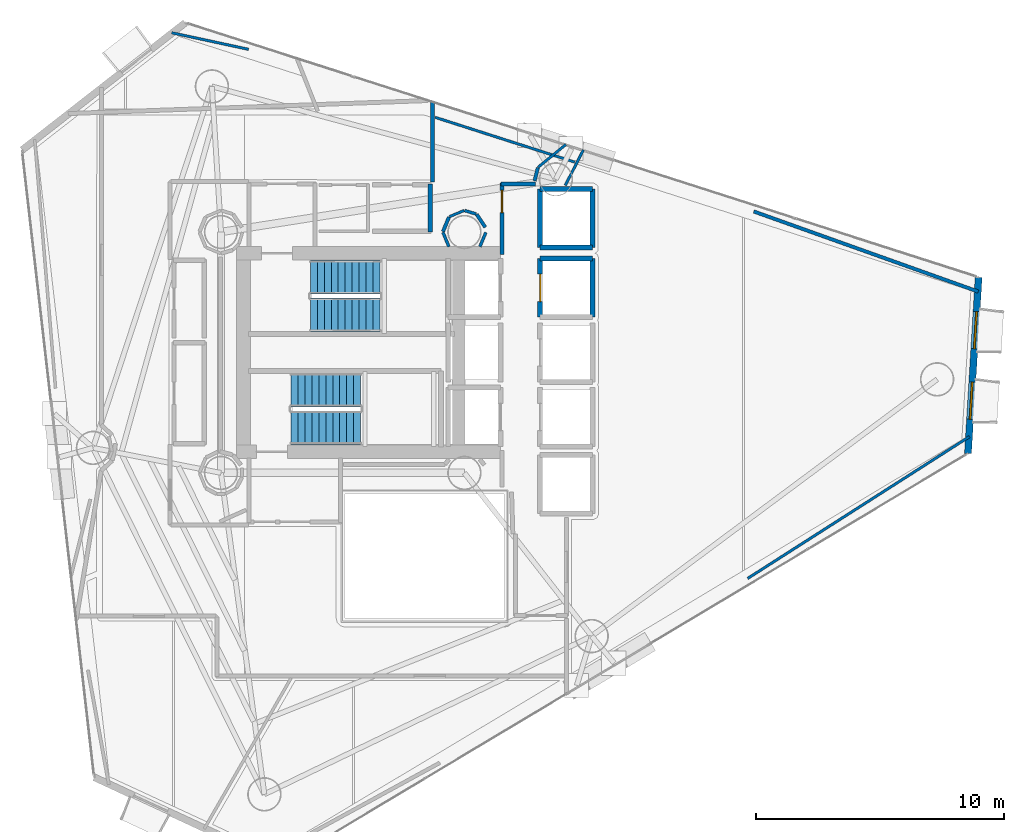
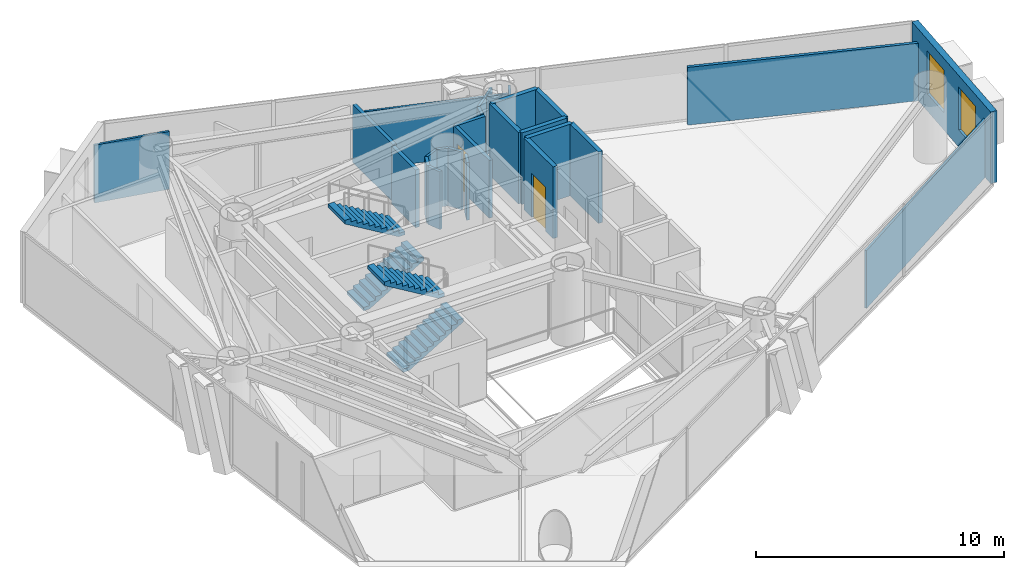
# One storey, part 20 of 22: 25 walls, 4 stair flights, 2 doors, 2 windows, 4 openings, 2 elements without a shape of their own.
"""IFC4 building model written with IfcOpenShell, lengths in metres."""

import ifcopenshell
import ifcopenshell.guid

model = None  # the IFC model being written
_history = None  # IfcOwnerHistory: only IFC2X3 demands one
_inside = {}  # id of a spatial element -> (the spatial element, [elements in it])
_under = {}  # id of a project, library or spatial element -> (it, [spatial elements below it])
_declared = {}  # id of a project -> (the project, [libraries it declares])
_typed = {}  # id of a type object -> (the type object, [elements of that type])
_made_of = {}  # id of a material, layer set ... -> (it, [elements and type objects made of it])


def new_model(schema):
    """Start an empty IFC model of exactly this schema.

    Asked for "IFC4X3", IfcOpenShell would pick the latest addendum, in which some entities
    have other attributes; the version numbers below select the first issue.
    IFC2X3 requires an IfcOwnerHistory on every rooted entity: one is made here for all.
    """
    global model, _history
    if schema == "IFC4X3":
        model = ifcopenshell.file(schema_version=(4, 3, 0, 0))
    else:
        model = ifcopenshell.file(schema=schema)
    _inside.clear()
    _under.clear()
    _declared.clear()
    _typed.clear()
    _made_of.clear()
    _history = None
    if model.schema == "IFC2X3":
        org = make("IfcOrganization", Name="unknown")
        user = make(
            "IfcPersonAndOrganization",
            ThePerson=make("IfcPerson", FamilyName="unknown"),
            TheOrganization=org,
        )
        app = make(
            "IfcApplication",
            ApplicationDeveloper=org,
            Version="unknown",
            ApplicationFullName="unknown",
            ApplicationIdentifier="unknown",
        )
        _history = make(
            "IfcOwnerHistory",
            OwningUser=user,
            OwningApplication=app,
            ChangeAction="ADDED",
            CreationDate=0,
        )
    return model


def make(cls, **values):
    """One entity of the class cls with the attributes given. An attribute that is None is left unset."""
    return model.create_entity(
        cls, **{name: value for name, value in values.items() if value is not None}
    )


def rooted(cls, **values):
    """An entity with a GlobalId (a new one), such as an element, a storey or a relation."""
    return make(cls, GlobalId=ifcopenshell.guid.new(), OwnerHistory=_history, **values)


def si_unit(unit_type, name, prefix=None):
    """IfcSIUnit, for example si_unit("LENGTHUNIT", "METRE", prefix="MILLI")."""
    return make("IfcSIUnit", UnitType=unit_type, Prefix=prefix, Name=name)


def assignment(units):
    """IfcUnitAssignment: the units of a project."""
    return None if units is None else make("IfcUnitAssignment", Units=units)


def point(xyz):
    """IfcCartesianPoint."""
    return None if xyz is None else make("IfcCartesianPoint", Coordinates=xyz)


def direction(xyz):
    """IfcDirection."""
    return None if xyz is None else make("IfcDirection", DirectionRatios=xyz)


def frame(location, z_axis=None, x_axis=None):
    """IfcAxis2Placement3D, a coordinate frame: its origin and axes. An axis left out is left unset."""
    return make(
        "IfcAxis2Placement3D",
        Location=point(location),
        Axis=direction(z_axis),
        RefDirection=direction(x_axis),
    )


def frame_2d(location, x_axis=None):
    """IfcAxis2Placement2D, a coordinate frame in the plane: its origin and x axis."""
    return make(
        "IfcAxis2Placement2D", Location=point(location), RefDirection=direction(x_axis)
    )


def origin():
    """The frame at (0, 0, 0) with its axes left unset."""
    return frame((0.0, 0.0, 0.0))


def place(relative_to, where):
    """IfcLocalPlacement: puts the frame where relative to a parent placement (None: the world)."""
    return make(
        "IfcLocalPlacement", PlacementRelTo=relative_to, RelativePlacement=where
    )


def context(
    kind, dimensions, precision=None, world=None, true_north=None, identifier=None
):
    """IfcGeometricRepresentationContext, for example the 3D "Model" context."""
    return make(
        "IfcGeometricRepresentationContext",
        ContextIdentifier=identifier,
        ContextType=kind,
        CoordinateSpaceDimension=dimensions,
        Precision=precision,
        WorldCoordinateSystem=world,
        TrueNorth=true_north,
    )


def subcontext(parent, identifier, kind, view, scale=None):
    """IfcGeometricRepresentationSubContext, for example "Body" below "Model"."""
    return make(
        "IfcGeometricRepresentationSubContext",
        ContextIdentifier=identifier,
        ContextType=kind,
        ParentContext=parent,
        TargetScale=scale,
        TargetView=view,
    )


def project(units=None, contexts=None):
    """IfcProject with its units and contexts."""
    return rooted(
        "IfcProject",
        Name="project",
        RepresentationContexts=contexts,
        UnitsInContext=assignment(units),
    )


def spatial(cls, under=None, at=None, **own):
    """A site, building, storey or space (cls), placed at a placement, below another one or the project."""
    s = rooted(cls, ObjectPlacement=at, **own)
    if under is not None:
        _under.setdefault(under.id(), (under, []))[1].append(s)
    return s


def polyline(points):
    """IfcPolyline through the points."""
    return make("IfcPolyline", Points=[point(p) for p in points])


def profile(cls, at=None, kind="AREA", **sizes):
    """A parametric profile (cls). Its sizes go by their IFC names, for example OverallWidth=200.0."""
    return make(cls, ProfileType=kind, Position=at, **sizes)


def rectangle(**sizes):
    """IfcRectangleProfileDef."""
    return profile("IfcRectangleProfileDef", **sizes)


def outline(outer, holes=None, kind="AREA"):
    """IfcArbitraryClosedProfileDef: a profile drawn as a closed curve; with holes, ...WithVoids."""
    if holes is None:
        return make("IfcArbitraryClosedProfileDef", ProfileType=kind, OuterCurve=outer)
    return make(
        "IfcArbitraryProfileDefWithVoids",
        ProfileType=kind,
        OuterCurve=outer,
        InnerCurves=holes,
    )


def extrude(swept, where, along, depth):
    """IfcExtrudedAreaSolid: the profile swept, set in the frame where, extruded along a direction by depth."""
    return make(
        "IfcExtrudedAreaSolid",
        SweptArea=swept,
        Position=where,
        ExtrudedDirection=direction(along),
        Depth=depth,
    )


def shape(context_of_items, identifier, shape_type, items):
    """IfcShapeRepresentation: the items that make up one representation, for example the "Body"."""
    return make(
        "IfcShapeRepresentation",
        ContextOfItems=context_of_items,
        RepresentationIdentifier=identifier,
        RepresentationType=shape_type,
        Items=items,
    )


def material(Name=None, Category=None):
    """IfcMaterial."""
    return make("IfcMaterial", Name=Name, Category=Category)


def layer(
    of_material, thickness, ventilated=None, Name=None, Category=None, Priority=None
):
    """IfcMaterialLayer: one layer of a wall or slab, of a material (None: an air gap)."""
    return make(
        "IfcMaterialLayer",
        Material=of_material,
        LayerThickness=thickness,
        IsVentilated=ventilated,
        Name=Name,
        Category=Category,
        Priority=Priority,
    )


def layer_set(layers, Name=None):
    """IfcMaterialLayerSet."""
    return make("IfcMaterialLayerSet", MaterialLayers=layers, LayerSetName=Name)


def made_of(thing, what):
    """Note that an element or type object is made of a material, layer set ...; save() writes the relation."""
    if what is not None:
        _made_of.setdefault(what.id(), (what, []))[1].append(thing)
    return thing


def type_object(cls, material=None, **own):
    """A type object (cls), such as IfcWallType, which elements share."""
    return made_of(rooted(cls, **own), material)


def element(
    cls,
    number,
    at=None,
    inside=None,
    cuts=None,
    type_object=None,
    material=None,
    context=None,
    identifier="Body",
    shape_type=None,
    held_by="IfcProductDefinitionShape",
    body=None,
    shapes=None,
    **own,
):
    """One element of the class cls, such as IfcWall. Its Tag is "e" and its number.

    at: its placement. inside: the storey or other place that contains it. cuts: it is an
    opening in that element (IfcRelVoidsElement). A single representation is given by context,
    identifier, shape_type and body (its items); several are given by shapes. held_by: the class
    of the entity that holds the representations. save() writes the other relations.
    """
    e = rooted(cls, Tag="e%d" % number, ObjectPlacement=at, **own)
    if body is not None:
        shapes = [shape(context, identifier, shape_type, body)]
    if shapes is not None:
        e.Representation = make(held_by, Representations=shapes)
    if inside is not None:
        _inside.setdefault(inside.id(), (inside, []))[1].append(e)
    if cuts is not None:
        rooted(
            "IfcRelVoidsElement", RelatingBuildingElement=cuts, RelatedOpeningElement=e
        )
    if type_object is not None:
        _typed.setdefault(type_object.id(), (type_object, []))[1].append(e)
    return made_of(e, material)


def fill(opening, filler):
    """IfcRelFillsElement: the door or window that sits in an opening."""
    return rooted(
        "IfcRelFillsElement",
        RelatingOpeningElement=opening,
        RelatedBuildingElement=filler,
    )


def aggregate(whole, parts):
    """IfcRelAggregates: a whole, such as a stair, and the parts it consists of."""
    return rooted("IfcRelAggregates", RelatingObject=whole, RelatedObjects=parts)


def save(model, path):
    """Write the relations noted so far, then the file.

    IfcRelAggregates (storeys below a building ...), IfcRelContainedInSpatialStructure (elements
    in a storey), IfcRelDefinesByType, IfcRelAssociatesMaterial and IfcRelDeclares: one each for
    every whole, place, type object, material and project.
    """
    for whole, parts in _under.values():
        aggregate(whole, parts)
    for where, things in _inside.values():
        rooted(
            "IfcRelContainedInSpatialStructure",
            RelatedElements=things,
            RelatingStructure=where,
        )
    for kind, things in _typed.values():
        rooted("IfcRelDefinesByType", RelatedObjects=things, RelatingType=kind)
    for what, things in _made_of.values():
        rooted("IfcRelAssociatesMaterial", RelatedObjects=things, RelatingMaterial=what)
    for by, libraries in _declared.values():
        rooted("IfcRelDeclares", RelatingContext=by, RelatedDefinitions=libraries)
    model.write(path)


model = new_model("IFC4")

# Units and contexts
model_context = context("Model", 3, precision=1e-05, world=origin(), true_north=direction((0.0, 1.0)))
body_context = subcontext(model_context, "Body", "Model", "MODEL_VIEW")
ifc_project = project(units=[si_unit("LENGTHUNIT", "METRE"), si_unit("AREAUNIT", "SQUARE_METRE"), si_unit("VOLUMEUNIT", "CUBIC_METRE"), si_unit("PLANEANGLEUNIT", "RADIAN"), si_unit("MASSUNIT", "GRAM", prefix="KILO")], contexts=[model_context])

# Site, building, storey
site_placement = place(None, origin())
site = spatial("IfcSite", under=ifc_project, at=site_placement, CompositionType="ELEMENT")
building_placement = place(site_placement, origin())
building = spatial("IfcBuilding", under=site, at=building_placement, Name="Qianvela Tower", CompositionType="ELEMENT")
storey_placement = place(building_placement, frame((0.0, 0.0, 173.5)))
storey = spatial("IfcBuildingStorey", under=building, at=storey_placement, Name="L44", CompositionType="ELEMENT", Elevation=173.5)

# Wall, openings, windows
ifc_material_1 = material(Name="Terracotta Cladding on Concrete C40", Category="masonry")
ifc_layer_1 = layer(ifc_material_1, 0.280029296875)
ifc_layer_set_1 = layer_set([ifc_layer_1], Name="Terracotta Cladding on Concrete C40")
wall_type_1 = type_object("IfcWallType", Name="TERRACOTTA-WALL-280", PredefinedType="SOLIDWALL", material=ifc_layer_set_1)
wall_1_placement = place(storey_placement, frame((58.676513671875, 24.63330078125, 0.0), z_axis=(0.0, 0.0, 1.0), x_axis=(0.060426567169, 0.998172645378, 0.0)))
wall_1 = element("IfcWall", 1, at=wall_1_placement, inside=storey, type_object=wall_type_1, Name="L44 Terracotta Chamfer Facet Wall 1", PredefinedType="SOLIDWALL", context=body_context, shape_type="SweptSolid", body=[
    extrude(rectangle(XDim=7.102783203125, YDim=0.280029296875, at=frame_2d((3.55126953125, 0.0))), origin(), (0.0, 0.0, 1.0), 3.52001953125),
])
opening_1_placement = place(wall_1_placement, frame((1.380859375, 0.0, 0.85009765625)))
opening_1 = element("IfcOpeningElement", 2, at=opening_1_placement, cuts=wall_1, Name="Opening W-02", PredefinedType="OPENING", context=body_context, shape_type="SweptSolid", body=[
    extrude(rectangle(XDim=1.5, YDim=2.10009765625, at=frame_2d((0.75, 1.050048828125))), frame((0.0, 0.14990234375, 0.0), z_axis=(0.0, -1.0, 0.0), x_axis=(1.0, 0.0, 0.0)), (0.0, 0.0, 1.0), 0.300048828125),
])
opening_2_placement = place(wall_1_placement, frame((4.221923828125, 0.0, 0.85009765625)))
opening_2 = element("IfcOpeningElement", 3, at=opening_2_placement, cuts=wall_1, Name="Opening W-02", PredefinedType="OPENING", context=body_context, shape_type="SweptSolid", body=[
    extrude(rectangle(XDim=1.5, YDim=2.10009765625, at=frame_2d((0.75, 1.050048828125))), frame((0.0, 0.14990234375, 0.0), z_axis=(0.0, -1.0, 0.0), x_axis=(1.0, 0.0, 0.0)), (0.0, 0.0, 1.0), 0.300048828125),
])
ifc_material_2 = material(Name="Thermally Broken Aluminium and Low-E Glass", Category="aluminium")
window_type = type_object("IfcWindowType", Name="WIN-TC-1500x2100", PartitioningType="DOUBLE_PANEL_VERTICAL", PredefinedType="WINDOW", material=ifc_material_2)
window_1_placement = place(opening_1_placement, origin())
window_1 = element("IfcWindow", 4, at=window_1_placement, inside=storey, type_object=window_type, Name="L44 Chamfer Facet Window 1.1", OverallHeight=2.10009765625, OverallWidth=1.5, PartitioningType="SINGLE_PANEL", PredefinedType="WINDOW", context=body_context, shape_type="SweptSolid", body=[
    extrude(rectangle(XDim=1.5, YDim=2.10009765625, at=frame_2d((0.75, 1.050048828125))), frame((0.0, 0.030029296875, 0.0), z_axis=(0.0, -1.0, 0.0), x_axis=(1.0, 0.0, 0.0)), (0.0, 0.0, 1.0), 0.06005859375),
])
fill(opening_1, window_1)
window_2_placement = place(opening_2_placement, origin())
window_2 = element("IfcWindow", 5, at=window_2_placement, inside=storey, type_object=window_type, Name="L44 Chamfer Facet Window 1.2", OverallHeight=2.10009765625, OverallWidth=1.5, PartitioningType="SINGLE_PANEL", PredefinedType="WINDOW", context=body_context, shape_type="SweptSolid", body=[
    extrude(rectangle(XDim=1.5, YDim=2.10009765625, at=frame_2d((0.75, 1.050048828125))), frame((0.0, 0.030029296875, 0.0), z_axis=(0.0, -1.0, 0.0), x_axis=(1.0, 0.0, 0.0)), (0.0, 0.0, 1.0), 0.06005859375),
])
fill(opening_2, window_2)

# Wall, opening, door
ifc_material_3 = material(Name="Fire-Rated Gypsum and Concrete Block", Category="concrete")
ifc_layer_2 = layer(ifc_material_3, 0.159912109375)
ifc_layer_set_2 = layer_set([ifc_layer_2], Name="Fire-Rated Gypsum and Concrete Block")
wall_type_2 = type_object("IfcWallType", Name="WT-CORR-160", PredefinedType="PARTITIONING", material=ifc_layer_set_2)
wall_2_placement = place(storey_placement, frame((39.910888671875, 32.639892578125, 0.0), z_axis=(0.0, 0.0, 1.0), x_axis=(0.0, 1.0, 0.0)))
wall_2 = element("IfcWall", 6, at=wall_2_placement, inside=storey, type_object=wall_type_2, Name="L44 Partition 12", PredefinedType="PARTITIONING", context=body_context, shape_type="SweptSolid", body=[
    extrude(rectangle(XDim=2.880126953125, YDim=0.159912109375, at=frame_2d((1.43994140625, 0.0))), origin(), (0.0, 0.0, 1.0), 2.840087890625),
])
opening_3_placement = place(wall_2_placement, frame((1.68994140625, 0.0, 0.0)))
opening_3 = element("IfcOpeningElement", 7, at=opening_3_placement, cuts=wall_2, Name="Opening D-KT1", PredefinedType="OPENING", context=body_context, shape_type="SweptSolid", body=[
    extrude(rectangle(XDim=0.89990234375, YDim=2.10009765625, at=frame_2d((0.449951171875, 1.050048828125))), frame((0.0, 0.08984375, 0.0), z_axis=(0.0, -1.0, 0.0), x_axis=(1.0, 0.0, 0.0)), (0.0, 0.0, 1.0), 0.179931640625),
])
ifc_material_4 = material(Name="Glazed Timber Kitchen Door", Category="wood")
door_type_1 = type_object("IfcDoorType", Name="DT-KITCH-900", OperationType="NOTDEFINED", PredefinedType="DOOR", material=ifc_material_4)
door_1_placement = place(opening_3_placement, origin())
door_1 = element("IfcDoor", 8, at=door_1_placement, inside=storey, type_object=door_type_1, Name="L44 Door Commons Day Lounge L44-04 to L44 Lift Lobby", OperationType="SINGLE_SWING_RIGHT", OverallHeight=2.10009765625, OverallWidth=0.89990234375, PredefinedType="DOOR", context=body_context, shape_type="SweptSolid", body=[
    extrude(rectangle(XDim=0.89990234375, YDim=2.10009765625, at=frame_2d((0.449951171875, 1.050048828125))), frame((0.0, 0.02490234375, 0.0), z_axis=(0.0, -1.0, 0.0), x_axis=(1.0, 0.0, 0.0)), (0.0, 0.0, 1.0), 0.050048828125),
])
fill(opening_3, door_1)

# Walls
wall_3_placement = place(storey_placement, frame((39.8798828125, 35.489013671875, 0.0), z_axis=(0.0, 0.0, 1.0), x_axis=(1.0, 0.0, 0.0)))
element("IfcWall", 9, at=wall_3_placement, inside=storey, type_object=wall_type_2, Name="L44 Partition 13", PredefinedType="PARTITIONING", context=body_context, shape_type="SweptSolid", body=[
    extrude(rectangle(XDim=1.3828125, YDim=0.159912109375, at=frame_2d((0.69140625, 0.0))), origin(), (0.0, 0.0, 1.0), 2.840087890625),
])
wall_4_placement = place(storey_placement, frame((37.118896484375, 38.79931640625, 0.0), z_axis=(0.0, 0.0, 1.0), x_axis=(0.0, -1.0, 0.0)))
element("IfcWall", 10, at=wall_4_placement, inside=storey, type_object=wall_type_2, Name="L44 Partition 55 seg 1", PredefinedType="PARTITIONING", context=body_context, shape_type="SweptSolid", body=[
    extrude(rectangle(XDim=3.2392578125, YDim=0.159912109375, at=frame_2d((1.61962890625, 0.0))), origin(), (0.0, 0.0, 1.0), 2.840087890625),
])
ifc_material_5 = material(Name="Lightweight Gypsum Room Partition")
ifc_layer_3 = layer(ifc_material_5, 0.10498046875)
ifc_layer_set_3 = layer_set([ifc_layer_3], Name="Lightweight Gypsum Room Partition")
wall_type_3 = type_object("IfcWallType", Name="WT-PART-105", PredefinedType="PARTITIONING", material=ifc_layer_set_3)
wall_5_placement = place(storey_placement, frame((42.462158203125, 35.42578125, 0.0), z_axis=(0.0, 0.0, 1.0), x_axis=(0.454699955927, 0.890644682284, 0.0)))
element("IfcWall", 11, at=wall_5_placement, inside=storey, type_object=wall_type_3, Name="L44 Partition 83", PredefinedType="PARTITIONING", context=body_context, shape_type="SweptSolid", body=[
    extrude(rectangle(XDim=1.60107421875, YDim=0.10498046875, at=frame_2d((0.800537109375, 0.0))), origin(), (0.0, 0.0, 1.0), 2.840087890625),
])
wall_6_placement = place(storey_placement, frame((58.734130859375, 25.31005859375, 0.0), z_axis=(0.0, 0.0, 1.0), x_axis=(-0.842503977738, -0.538690121958, 0.0)))
element("IfcWall", 12, at=wall_6_placement, inside=storey, type_object=wall_type_3, Name="L44 Partition 86 seg 1", PredefinedType="PARTITIONING", context=body_context, shape_type="SweptSolid", body=[
    extrude(rectangle(XDim=10.59619140625, YDim=0.10498046875, at=frame_2d((5.298095703125, 0.0))), origin(), (0.0, 0.0, 1.0), 2.840087890625),
])
wall_7_placement = place(storey_placement, frame((38.38818359375, 34.41357421875, 0.0), z_axis=(0.0, 0.0, 1.0), x_axis=(-0.924012178777, -0.382363038841, 0.0)))
element("IfcWall", 13, at=wall_7_placement, inside=storey, type_object=wall_type_3, Name="L44 Partition 92", PredefinedType="PARTITIONING", context=body_context, shape_type="SweptSolid", body=[
    extrude(rectangle(XDim=0.63916015625, YDim=0.10498046875, at=frame_2d((0.319580078125, 0.0))), origin(), (0.0, 0.0, 1.0), 2.840087890625),
])
wall_8_placement = place(storey_placement, frame((37.220458984375, 38.168212890625, 0.0), z_axis=(0.0, 0.0, 1.0), x_axis=(0.952167427944, -0.305576813849, 0.0)))
element("IfcWall", 14, at=wall_8_placement, inside=storey, type_object=wall_type_3, Name="L44 Partition 101", PredefinedType="PARTITIONING", context=body_context, shape_type="SweptSolid", body=[
    extrude(rectangle(XDim=5.904296875, YDim=0.10498046875, at=frame_2d((2.9521484375, 0.0))), origin(), (0.0, 0.0, 1.0), 2.840087890625),
])
wall_9_placement = place(storey_placement, frame((42.487060546875, 37.07421875, 0.0), z_axis=(0.0, 0.0, 1.0), x_axis=(-0.773083984598, -0.634303675504, 0.0)))
element("IfcWall", 15, at=wall_9_placement, inside=storey, type_object=wall_type_3, Name="L44 Partition 104", PredefinedType="PARTITIONING", context=body_context, shape_type="SweptSolid", body=[
    extrude(rectangle(XDim=1.446044921875, YDim=0.10498046875, at=frame_2d((0.72314453125, 0.0))), origin(), (0.0, 0.0, 1.0), 2.840087890625),
])
wall_10_placement = place(storey_placement, frame((26.61474609375, 41.57177734375, 0.0), z_axis=(0.0, 0.0, 1.0), x_axis=(0.977568356889, -0.210618393329, 0.0)))
element("IfcWall", 16, at=wall_10_placement, inside=storey, type_object=wall_type_3, Name="L44 Partition 107 seg 1", PredefinedType="PARTITIONING", context=body_context, shape_type="SweptSolid", body=[
    extrude(rectangle(XDim=3.16796875, YDim=0.10498046875, at=frame_2d((1.583984375, 0.0))), origin(), (0.0, 0.0, 1.0), 2.840087890625),
])
ifc_material_6 = material(Name="Insulated Gypsum Stud Partition")
ifc_layer_4 = layer(ifc_material_6, 0.1201171875)
ifc_layer_set_4 = layer_set([ifc_layer_4], Name="Insulated Gypsum Stud Partition")
wall_type_4 = type_object("IfcWallType", Name="WT-PART-120", PredefinedType="PARTITIONING", material=ifc_layer_set_4)
wall_11_placement = place(storey_placement, frame((38.872802734375, 34.27392578125, 0.0), z_axis=(0.0, 0.0, 1.0), x_axis=(-0.956850575764, 0.290580411693, 0.0)))
element("IfcWall", 17, at=wall_11_placement, inside=storey, type_object=wall_type_4, Name="L44 Partition 91", PredefinedType="PARTITIONING", context=body_context, shape_type="SweptSolid", body=[
    extrude(rectangle(XDim=0.48486328125, YDim=0.1201171875, at=frame_2d((0.242431640625, 0.0))), origin(), (0.0, 0.0, 1.0), 2.840087890625),
])
wall_12_placement = place(storey_placement, frame((37.536376953125, 33.5380859375, 0.0), z_axis=(0.0, 0.0, 1.0), x_axis=(0.382626535499, -0.923903097912, 0.0)))
element("IfcWall", 18, at=wall_12_placement, inside=storey, type_object=wall_type_4, Name="L44 Partition 94", PredefinedType="PARTITIONING", context=body_context, shape_type="SweptSolid", body=[
    extrude(rectangle(XDim=0.6279296875, YDim=0.1201171875, at=frame_2d((0.31396484375, 0.0))), origin(), (0.0, 0.0, 1.0), 2.840087890625),
])
wall_13_placement = place(storey_placement, frame((39.023193359375, 32.9580078125, 0.0), z_axis=(0.0, 0.0, 1.0), x_axis=(0.385702795868, 0.922623082987, 0.0)))
element("IfcWall", 19, at=wall_13_placement, inside=storey, type_object=wall_type_4, Name="L44 Partition 97", PredefinedType="PARTITIONING", context=body_context, shape_type="SweptSolid", body=[
    extrude(rectangle(XDim=0.62158203125, YDim=0.1201171875, at=frame_2d((0.310791015625, 0.0))), origin(), (0.0, 0.0, 1.0), 2.840087890625),
])
ifc_material_7 = material(Name="Moisture-Resistant Acoustic Plumbing Wall")
ifc_layer_5 = layer(ifc_material_7, 0.175048828125)
ifc_layer_set_5 = layer_set([ifc_layer_5], Name="Moisture-Resistant Acoustic Plumbing Wall")
wall_type_5 = type_object("IfcWallType", Name="WT-PLUMB-175", PredefinedType="PLUMBINGWALL", material=ifc_layer_set_5)
wall_14_placement = place(storey_placement, frame((37.01904296875, 35.47998046875, 0.0), z_axis=(0.0, 0.0, 1.0), x_axis=(0.0, -1.0, 0.0)))
element("IfcWall", 20, at=wall_14_placement, inside=storey, type_object=wall_type_5, Name="L44 Partition 27", PredefinedType="PLUMBINGWALL", context=body_context, shape_type="SweptSolid", body=[
    extrude(rectangle(XDim=1.929931640625, YDim=0.175048828125, at=frame_2d((0.96484375, 0.0))), origin(), (0.0, 0.0, 1.0), 2.840087890625),
])
ifc_material_8 = material(Name="Acoustic Double Gypsum Stud Partition")
ifc_layer_6 = layer(ifc_material_8, 0.139892578125)
ifc_layer_set_6 = layer_set([ifc_layer_6], Name="Acoustic Double Gypsum Stud Partition")
wall_type_6 = type_object("IfcWallType", Name="WT-ROOM-140", PredefinedType="PARTITIONING", material=ifc_layer_set_6)
wall_15_placement = place(storey_placement, frame((50.049072265625, 34.377685546875, 0.0), z_axis=(0.0, 0.0, 1.0), x_axis=(0.941766649099, -0.336267123944, 0.0)))
element("IfcWall", 21, at=wall_15_placement, inside=storey, type_object=wall_type_6, Name="L44 Partition 84 seg 2", PredefinedType="PARTITIONING", context=body_context, shape_type="SweptSolid", body=[
    extrude(rectangle(XDim=9.600341796875, YDim=0.139892578125, at=frame_2d((4.80029296875, 0.0))), origin(), (0.0, 0.0, 1.0), 2.840087890625),
])
wall_16_placement = place(storey_placement, frame((39.241455078125, 33.74072265625, 0.0), z_axis=(0.0, 0.0, 1.0), x_axis=(-0.559619584068, 0.828749613048, 0.0)))
element("IfcWall", 22, at=wall_16_placement, inside=storey, type_object=wall_type_6, Name="L44 Partition 90", PredefinedType="PARTITIONING", context=body_context, shape_type="SweptSolid", body=[
    extrude(rectangle(XDim=0.628662109375, YDim=0.139892578125, at=frame_2d((0.314453125, 0.0))), origin(), (0.0, 0.0, 1.0), 2.840087890625),
])
wall_17_placement = place(storey_placement, frame((37.781005859375, 34.15234375, 0.0), z_axis=(0.0, 0.0, 1.0), x_axis=(-0.382824178437, -0.923821221018, 0.0)))
element("IfcWall", 23, at=wall_17_placement, inside=storey, type_object=wall_type_6, Name="L44 Partition 93", PredefinedType="PARTITIONING", context=body_context, shape_type="SweptSolid", body=[
    extrude(rectangle(XDim=0.638916015625, YDim=0.139892578125, at=frame_2d((0.3193359375, 0.0))), origin(), (0.0, 0.0, 1.0), 2.840087890625),
])
wall_18_placement = place(storey_placement, frame((41.358642578125, 36.140380859375, 0.0), z_axis=(0.0, 0.0, 1.0), x_axis=(-0.243371504092, -0.969933147694, 0.0)))
element("IfcWall", 24, at=wall_18_placement, inside=storey, type_object=wall_type_6, Name="L44 Partition 105", PredefinedType="PARTITIONING", context=body_context, shape_type="SweptSolid", body=[
    extrude(rectangle(XDim=0.5498046875, YDim=0.139892578125, at=frame_2d((0.27490234375, 0.0))), origin(), (0.0, 0.0, 1.0), 2.840087890625),
])
ifc_material_9 = material(Name="Concrete C50", Category="concrete")
ifc_layer_7 = layer(ifc_material_9, 0.199951171875)
ifc_layer_set_7 = layer_set([ifc_layer_7], Name="Concrete C50")
wall_type_7 = type_object("IfcWallType", Name="WT-SHAFT-200", PredefinedType="SOLIDWALL", material=ifc_layer_set_7)
wall_19_placement = place(storey_placement, frame((43.550048828125, 30.1201171875, 0.0), z_axis=(0.0, 0.0, 1.0), x_axis=(0.0, 1.0, 0.0)))
element("IfcWall", 25, at=wall_19_placement, inside=storey, type_object=wall_type_7, Name="L44 Lift PL-M1 E Shaft Wall", PredefinedType="SOLIDWALL", context=body_context, shape_type="SweptSolid", body=[
    extrude(rectangle(XDim=2.35986328125, YDim=0.199951171875, at=frame_2d((1.179931640625, 0.0))), origin(), (0.0, 0.0, 1.0), 3.52001953125),
])

# Wall, opening, door
wall_20_placement = place(storey_placement, frame((41.449951171875, 30.1201171875, 0.0), z_axis=(0.0, 0.0, 1.0), x_axis=(0.0, 1.0, 0.0)))
wall_20 = element("IfcWall", 26, at=wall_20_placement, inside=storey, type_object=wall_type_7, Name="L44 Lift PL-M1 W Shaft Wall", PredefinedType="SOLIDWALL", context=body_context, shape_type="SweptSolid", body=[
    extrude(rectangle(XDim=2.35986328125, YDim=0.199951171875, at=frame_2d((1.179931640625, 0.0))), origin(), (0.0, 0.0, 1.0), 3.52001953125),
])
opening_4_placement = place(wall_20_placement, frame((0.6298828125, 0.0, 0.0)))
opening_4 = element("IfcOpeningElement", 27, at=opening_4_placement, cuts=wall_20, Name="Opening LD-01", PredefinedType="OPENING", context=body_context, shape_type="SweptSolid", body=[
    extrude(rectangle(XDim=1.10009765625, YDim=2.14990234375, at=frame_2d((0.550048828125, 1.074951171875))), frame((0.0, 0.10986328125, 0.0), z_axis=(0.0, -1.0, 0.0), x_axis=(1.0, 0.0, 0.0)), (0.0, 0.0, 1.0), 0.219970703125),
])
ifc_material_10 = material(Name="Brushed Stainless Steel Lift Landing Door", Category="steel")
door_type_2 = type_object("IfcDoorType", Name="DT-LIFT-SLIDE-1100", OperationType="SLIDING_TO_LEFT", PredefinedType="DOOR", material=ifc_material_10)
door_2_placement = place(opening_4_placement, origin())
door_2 = element("IfcDoor", 28, at=door_2_placement, inside=storey, type_object=door_type_2, Name="L44 Lift PL-M1 Sliding Landing Door", OperationType="SLIDING_TO_LEFT", OverallHeight=2.14990234375, OverallWidth=1.10009765625, PredefinedType="DOOR", context=body_context, shape_type="SweptSolid", body=[
    extrude(rectangle(XDim=1.10009765625, YDim=2.14990234375, at=frame_2d((0.550048828125, 1.074951171875))), frame((0.0, 0.02490234375, 0.0), z_axis=(0.0, -1.0, 0.0), x_axis=(1.0, 0.0, 0.0)), (0.0, 0.0, 1.0), 0.050048828125),
])
fill(opening_4, door_2)

# Walls
wall_21_placement = place(storey_placement, frame((41.449951171875, 32.47998046875, 0.0), z_axis=(0.0, 0.0, 1.0), x_axis=(1.0, 0.0, 0.0)))
element("IfcWall", 29, at=wall_21_placement, inside=storey, type_object=wall_type_7, Name="L44 Lift PL-M1 N Shaft Wall", PredefinedType="SOLIDWALL", context=body_context, shape_type="SweptSolid", body=[
    extrude(rectangle(XDim=2.10009765625, YDim=0.199951171875, at=frame_2d((1.050048828125, 0.0))), origin(), (0.0, 0.0, 1.0), 3.52001953125),
])
for number, where, z_axis, x_axis, name in (
    (30, (43.550048828125, 32.919921875, 0.0), (0.0, 0.0, 1.0), (0.0, 1.0, 0.0), "L44 Lift PL-H3 E Shaft Wall"),
    (31, (41.449951171875, 32.919921875, 0.0), (0.0, 0.0, 1.0), (0.0, 1.0, 0.0), "L44 Lift PL-H3 W Shaft Wall"),
):
    element("IfcWall", number, at=place(storey_placement, frame(where, z_axis=z_axis, x_axis=x_axis)), inside=storey, type_object=wall_type_7, Name=name, PredefinedType="SOLIDWALL", context=body_context, shape_type="SweptSolid", body=[
        extrude(rectangle(XDim=2.360107421875, YDim=0.199951171875, at=frame_2d((1.18017578125, 0.0))), origin(), (0.0, 0.0, 1.0), 3.52001953125),
    ])
for number, where, z_axis, x_axis, name in (
    (32, (41.449951171875, 35.280029296875, 0.0), (0.0, 0.0, 1.0), (1.0, 0.0, 0.0), "L44 Lift PL-H3 N Shaft Wall"),
    (33, (41.449951171875, 32.919921875, 0.0), (0.0, 0.0, 1.0), (1.0, 0.0, 0.0), "L44 Lift PL-H3 S Shaft Wall"),
):
    element("IfcWall", number, at=place(storey_placement, frame(where, z_axis=z_axis, x_axis=x_axis)), inside=storey, type_object=wall_type_7, Name=name, PredefinedType="SOLIDWALL", context=body_context, shape_type="SweptSolid", body=[
        extrude(rectangle(XDim=2.10009765625, YDim=0.199951171875, at=frame_2d((1.050048828125, 0.0))), origin(), (0.0, 0.0, 1.0), 3.52001953125),
    ])

# Stair, stair flights
ifc_material_11 = material(Name="Concrete C40", Category="concrete")
stair_type = type_object("IfcStairType", Name="ST-DOGLEG-1350-R168-N22", PredefinedType="HALF_TURN_STAIR", material=ifc_material_11)
stair_1_placement = place(storey_placement, origin())
stair_1 = element("IfcStair", 34, at=stair_1_placement, inside=storey, type_object=stair_type, Name="L44 Smoke-Proof Core Stair ST-1", PredefinedType="HALF_TURN_STAIR")
ifc_material_12 = material(Name="Concrete C40", Category="concrete")
stair_flight_type = type_object("IfcStairFlightType", Name="STF-STRAIGHT-R168-P11", PredefinedType="STRAIGHT", material=ifc_material_12)
stair_flight_1_placement = place(storey_placement, frame((32.199951171875, 30.215087890625, 0.0), z_axis=(0.0, 0.0, 1.0), x_axis=(1.0, 0.0, 0.0)))
stair_flight_1 = element("IfcStairFlight", 35, at=stair_flight_1_placement, type_object=stair_flight_type, Name="ST-1 flight 1", NumberOfRisers=11, NumberOfTreads=10, PredefinedType="STRAIGHT", RiserHeight=0.168181818, TreadLength=0.28, context=body_context, shape_type="SweptSolid", body=[
    extrude(outline(polyline([(0.0, 0.0), (0.0, 0.168212890625), (0.280029296875, 0.168212890625), (0.280029296875, 0.33642578125), (0.56005859375, 0.33642578125), (0.56005859375, 0.504638671875), (0.840087890625, 0.504638671875), (0.840087890625, 0.672607421875), (1.1201171875, 0.672607421875), (1.1201171875, 0.8408203125), (1.39990234375, 0.8408203125), (1.39990234375, 1.009033203125), (1.679931640625, 1.009033203125), (1.679931640625, 1.17724609375), (1.9599609375, 1.17724609375), (1.9599609375, 1.345458984375), (2.239990234375, 1.345458984375), (2.239990234375, 1.513671875), (2.52001953125, 1.513671875), (2.52001953125, 1.681884765625), (2.800048828125, 1.681884765625), (2.800048828125, 1.85009765625), (2.800048828125, 1.5068359375), (0.291015625, 0.0), (0.0, 0.0)])), frame((0.0, 0.675048828125, 0.0), z_axis=(0.0, -1.0, 0.0), x_axis=(1.0, 0.0, 0.0)), (0.0, 0.0, 1.0), 1.35009765625),
])
stair_flight_2_placement = place(storey_placement, frame((35.0, 31.72509765625, 1.85009765625), z_axis=(0.0, 0.0, 1.0), x_axis=(-1.0, 0.0, 0.0)))
stair_flight_2 = element("IfcStairFlight", 36, at=stair_flight_2_placement, type_object=stair_flight_type, Name="ST-1 flight 2", NumberOfRisers=11, NumberOfTreads=10, PredefinedType="STRAIGHT", RiserHeight=0.168181818, TreadLength=0.28, context=body_context, shape_type="SweptSolid", body=[
    extrude(outline(polyline([(0.0, 0.0), (0.0, 0.168212890625), (0.280029296875, 0.168212890625), (0.280029296875, 0.33642578125), (0.56005859375, 0.33642578125), (0.56005859375, 0.504638671875), (0.840087890625, 0.504638671875), (0.840087890625, 0.672607421875), (1.1201171875, 0.672607421875), (1.1201171875, 0.8408203125), (1.39990234375, 0.8408203125), (1.39990234375, 1.009033203125), (1.679931640625, 1.009033203125), (1.679931640625, 1.17724609375), (1.9599609375, 1.17724609375), (1.9599609375, 1.345458984375), (2.239990234375, 1.345458984375), (2.239990234375, 1.513671875), (2.52001953125, 1.513671875), (2.52001953125, 1.681884765625), (2.800048828125, 1.681884765625), (2.800048828125, 1.85009765625), (2.800048828125, 1.5068359375), (0.291015625, 0.0), (0.0, 0.0)])), frame((0.0, 0.675048828125, 0.0), z_axis=(0.0, -1.0, 0.0), x_axis=(1.0, 0.0, 0.0)), (0.0, 0.0, 1.0), 1.35009765625),
])
aggregate(stair_1, [stair_flight_1, stair_flight_2])

stair_2_placement = place(storey_placement, origin())
stair_2 = element("IfcStair", 37, at=stair_2_placement, inside=storey, type_object=stair_type, Name="L44 Smoke-Proof Core Stair ST-2", PredefinedType="HALF_TURN_STAIR")
stair_flight_3_placement = place(storey_placement, frame((31.419921875, 25.675048828125, 0.0), z_axis=(0.0, 0.0, 1.0), x_axis=(1.0, 0.0, 0.0)))
stair_flight_3 = element("IfcStairFlight", 38, at=stair_flight_3_placement, type_object=stair_flight_type, Name="ST-2 flight 1", NumberOfRisers=11, NumberOfTreads=10, PredefinedType="STRAIGHT", RiserHeight=0.168181818, TreadLength=0.28, context=body_context, shape_type="SweptSolid", body=[
    extrude(outline(polyline([(0.0, 0.0), (0.0, 0.168212890625), (0.280029296875, 0.168212890625), (0.280029296875, 0.33642578125), (0.56005859375, 0.33642578125), (0.56005859375, 0.504638671875), (0.840087890625, 0.504638671875), (0.840087890625, 0.672607421875), (1.1201171875, 0.672607421875), (1.1201171875, 0.8408203125), (1.39990234375, 0.8408203125), (1.39990234375, 1.009033203125), (1.679931640625, 1.009033203125), (1.679931640625, 1.17724609375), (1.9599609375, 1.17724609375), (1.9599609375, 1.345458984375), (2.239990234375, 1.345458984375), (2.239990234375, 1.513671875), (2.52001953125, 1.513671875), (2.52001953125, 1.681884765625), (2.800048828125, 1.681884765625), (2.800048828125, 1.85009765625), (2.800048828125, 1.5068359375), (0.291015625, 0.0), (0.0, 0.0)])), frame((0.0, 0.675048828125, 0.0), z_axis=(0.0, -1.0, 0.0), x_axis=(1.0, 0.0, 0.0)), (0.0, 0.0, 1.0), 1.35009765625),
])
stair_flight_4_placement = place(storey_placement, frame((34.219970703125, 27.18505859375, 1.85009765625), z_axis=(0.0, 0.0, 1.0), x_axis=(-1.0, 0.0, 0.0)))
stair_flight_4 = element("IfcStairFlight", 39, at=stair_flight_4_placement, type_object=stair_flight_type, Name="ST-2 flight 2", NumberOfRisers=11, NumberOfTreads=10, PredefinedType="STRAIGHT", RiserHeight=0.168181818, TreadLength=0.28, context=body_context, shape_type="SweptSolid", body=[
    extrude(outline(polyline([(0.0, 0.0), (0.0, 0.168212890625), (0.280029296875, 0.168212890625), (0.280029296875, 0.33642578125), (0.56005859375, 0.33642578125), (0.56005859375, 0.504638671875), (0.840087890625, 0.504638671875), (0.840087890625, 0.672607421875), (1.1201171875, 0.672607421875), (1.1201171875, 0.8408203125), (1.39990234375, 0.8408203125), (1.39990234375, 1.009033203125), (1.679931640625, 1.009033203125), (1.679931640625, 1.17724609375), (1.9599609375, 1.17724609375), (1.9599609375, 1.345458984375), (2.239990234375, 1.345458984375), (2.239990234375, 1.513671875), (2.52001953125, 1.513671875), (2.52001953125, 1.681884765625), (2.800048828125, 1.681884765625), (2.800048828125, 1.85009765625), (2.800048828125, 1.5068359375), (0.291015625, 0.0), (0.0, 0.0)])), frame((0.0, 0.675048828125, 0.0), z_axis=(0.0, -1.0, 0.0), x_axis=(1.0, 0.0, 0.0)), (0.0, 0.0, 1.0), 1.35009765625),
])
aggregate(stair_2, [stair_flight_3, stair_flight_4])

save(model, "model.ifc")
